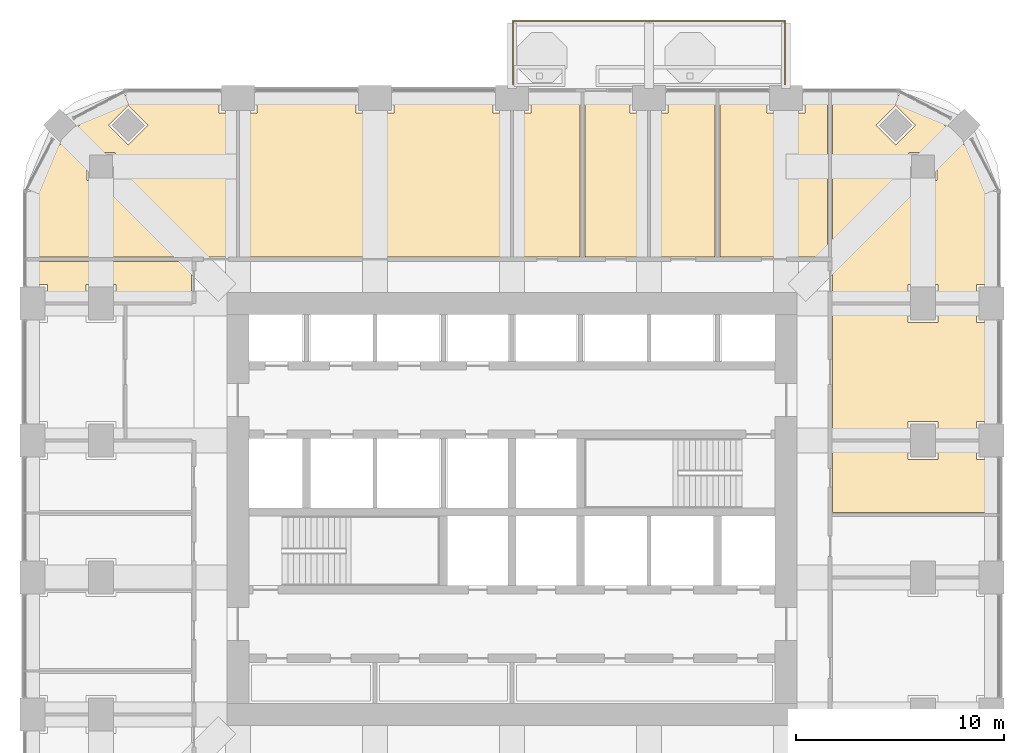
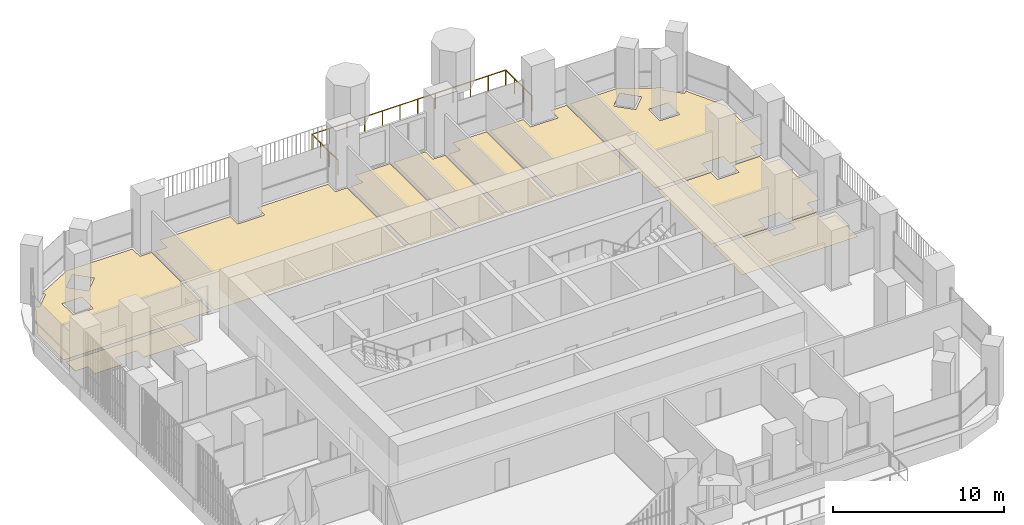
# One storey, part 18 of 19: 10 coverings, 1 railing.
"""IFC4 building model written with IfcOpenShell, lengths in metres."""

from ifc_helpers import new_model, si_unit, direction, frame, origin, place, context, subcontext, project, spatial, polyline, outline, extrude, material, layer, layer_set, type_object, element, save


model = new_model("IFC4")

# Units and contexts
model_context = context("Model", 3, precision=1e-05, world=origin(), true_north=direction((0.0, 1.0)))
body_context = subcontext(model_context, "Body", "Model", "MODEL_VIEW")
ifc_project = project(units=[si_unit("LENGTHUNIT", "METRE"), si_unit("AREAUNIT", "SQUARE_METRE"), si_unit("VOLUMEUNIT", "CUBIC_METRE"), si_unit("PLANEANGLEUNIT", "RADIAN"), si_unit("MASSUNIT", "GRAM", prefix="KILO")], contexts=[model_context])

# Site, building, storey
site_placement = place(None, origin())
site = spatial("IfcSite", under=ifc_project, at=site_placement, CompositionType="ELEMENT")
building_placement = place(site_placement, origin())
building = spatial("IfcBuilding", under=site, at=building_placement, Name="Cobogo Forest Laboratory Tower", CompositionType="ELEMENT")
storey_placement = place(building_placement, frame((0.0, 0.0, 172.5)))
storey = spatial("IfcBuildingStorey", under=building, at=storey_placement, Name="L39", CompositionType="ELEMENT", Elevation=172.5)

# Railing
ifc_material_1 = material(Name="Laminated glass balustrade", Category="glass")
railing_type = type_object("IfcRailingType", Name="BG1 glass balustrade 1100", PredefinedType="GUARDRAIL", material=ifc_material_1)
railing_placement = place(storey_placement, frame((26.449951171875, 43.550048828125, 0.0)))
element("IfcRailing", 1, at=railing_placement, inside=storey, type_object=railing_type, Name="Balcony balustrade BAL-N1 L39", PredefinedType="GUARDRAIL", context=body_context, shape_type="SweptSolid", body=[
    extrude(outline(polyline([(0.022216796875, 0.00927734375), (0.00927734375, 0.022216796875), (-0.00927734375, 0.022216796875), (-0.022216796875, 0.00927734375), (-0.022216796875, -0.00927734375), (-0.00927734375, -0.022216796875), (0.00927734375, -0.022216796875), (0.022216796875, -0.00927734375), (0.022216796875, 0.00927734375)])), frame((0.0, 0.0, 1.077880859375), z_axis=(0.0, 1.0, 0.0), x_axis=(-1.0, 0.0, 0.0)), (0.0, 0.0, 1.0), 3.050048828125),
    extrude(outline(polyline([(0.022216796875, 0.00927734375), (0.00927734375, 0.022216796875), (-0.00927734375, 0.022216796875), (-0.022216796875, 0.00927734375), (-0.022216796875, -0.00927734375), (-0.00927734375, -0.022216796875), (0.00927734375, -0.022216796875), (0.022216796875, -0.00927734375), (0.022216796875, 0.00927734375)])), frame((0.0, 3.050048828125, 1.077880859375), z_axis=(1.0, 0.0, 0.0), x_axis=(0.0, 1.0, 0.0)), (0.0, 0.0, 1.0), 13.10009765625),
    extrude(outline(polyline([(0.022216796875, 0.00927734375), (0.00927734375, 0.022216796875), (-0.00927734375, 0.022216796875), (-0.022216796875, 0.00927734375), (-0.022216796875, -0.00927734375), (-0.00927734375, -0.022216796875), (0.00927734375, -0.022216796875), (0.022216796875, -0.00927734375), (0.022216796875, 0.00927734375)])), frame((13.10009765625, 3.050048828125, 1.077880859375), z_axis=(0.0, -1.0, 0.0), x_axis=(1.0, 0.0, 0.0)), (0.0, 0.0, 1.0), 3.050048828125),
    extrude(outline(polyline([(0.019287109375, 0.008056640625), (0.008056640625, 0.019287109375), (-0.008056640625, 0.019287109375), (-0.019287109375, 0.008056640625), (-0.019287109375, -0.008056640625), (-0.008056640625, -0.019287109375), (0.008056640625, -0.019287109375), (0.019287109375, -0.008056640625), (0.019287109375, 0.008056640625)])), origin(), (0.0, 0.0, 1.0), 1.077880859375),
    extrude(outline(polyline([(0.019287109375, 0.008056640625), (0.008056640625, 0.019287109375), (-0.008056640625, 0.019287109375), (-0.019287109375, 0.008056640625), (-0.019287109375, -0.008056640625), (-0.008056640625, -0.019287109375), (0.008056640625, -0.019287109375), (0.019287109375, -0.008056640625), (0.019287109375, 0.008056640625)])), frame((0.0, 1.0166015625, 0.0)), (0.0, 0.0, 1.0), 1.077880859375),
    extrude(outline(polyline([(0.019287109375, 0.008056640625), (0.008056640625, 0.019287109375), (-0.008056640625, 0.019287109375), (-0.019287109375, 0.008056640625), (-0.019287109375, -0.008056640625), (-0.008056640625, -0.019287109375), (0.008056640625, -0.019287109375), (0.019287109375, -0.008056640625), (0.019287109375, 0.008056640625)])), frame((0.0, 2.033447265625, 0.0)), (0.0, 0.0, 1.0), 1.077880859375),
    extrude(outline(polyline([(0.019287109375, 0.008056640625), (0.008056640625, 0.019287109375), (-0.008056640625, 0.019287109375), (-0.019287109375, 0.008056640625), (-0.019287109375, -0.008056640625), (-0.008056640625, -0.019287109375), (0.008056640625, -0.019287109375), (0.019287109375, -0.008056640625), (0.019287109375, 0.008056640625)])), frame((0.0, 3.050048828125, 0.0)), (0.0, 0.0, 1.0), 1.077880859375),
    extrude(outline(polyline([(0.019287109375, 0.008056640625), (0.008056640625, 0.019287109375), (-0.008056640625, 0.019287109375), (-0.019287109375, 0.008056640625), (-0.019287109375, -0.008056640625), (-0.008056640625, -0.019287109375), (0.008056640625, -0.019287109375), (0.019287109375, -0.008056640625), (0.019287109375, 0.008056640625)])), frame((1.19091796875, 3.050048828125, 0.0)), (0.0, 0.0, 1.0), 1.077880859375),
    extrude(outline(polyline([(0.019287109375, 0.008056640625), (0.008056640625, 0.019287109375), (-0.008056640625, 0.019287109375), (-0.019287109375, 0.008056640625), (-0.019287109375, -0.008056640625), (-0.008056640625, -0.019287109375), (0.008056640625, -0.019287109375), (0.019287109375, -0.008056640625), (0.019287109375, 0.008056640625)])), frame((2.3818359375, 3.050048828125, 0.0)), (0.0, 0.0, 1.0), 1.077880859375),
    extrude(outline(polyline([(0.019287109375, 0.008056640625), (0.008056640625, 0.019287109375), (-0.008056640625, 0.019287109375), (-0.019287109375, 0.008056640625), (-0.019287109375, -0.008056640625), (-0.008056640625, -0.019287109375), (0.008056640625, -0.019287109375), (0.019287109375, -0.008056640625), (0.019287109375, 0.008056640625)])), frame((3.57275390625, 3.050048828125, 0.0)), (0.0, 0.0, 1.0), 1.077880859375),
    extrude(outline(polyline([(0.019287109375, 0.008056640625), (0.008056640625, 0.019287109375), (-0.008056640625, 0.019287109375), (-0.019287109375, 0.008056640625), (-0.019287109375, -0.008056640625), (-0.008056640625, -0.019287109375), (0.008056640625, -0.019287109375), (0.019287109375, -0.008056640625), (0.019287109375, 0.008056640625)])), frame((4.763671875, 3.050048828125, 0.0)), (0.0, 0.0, 1.0), 1.077880859375),
    extrude(outline(polyline([(0.019287109375, 0.008056640625), (0.008056640625, 0.019287109375), (-0.008056640625, 0.019287109375), (-0.019287109375, 0.008056640625), (-0.019287109375, -0.008056640625), (-0.008056640625, -0.019287109375), (0.008056640625, -0.019287109375), (0.019287109375, -0.008056640625), (0.019287109375, 0.008056640625)])), frame((5.95458984375, 3.050048828125, 0.0)), (0.0, 0.0, 1.0), 1.077880859375),
    extrude(outline(polyline([(0.019287109375, 0.008056640625), (0.008056640625, 0.019287109375), (-0.008056640625, 0.019287109375), (-0.019287109375, 0.008056640625), (-0.019287109375, -0.008056640625), (-0.008056640625, -0.019287109375), (0.008056640625, -0.019287109375), (0.019287109375, -0.008056640625), (0.019287109375, 0.008056640625)])), frame((7.1455078125, 3.050048828125, 0.0)), (0.0, 0.0, 1.0), 1.077880859375),
    extrude(outline(polyline([(0.019287109375, 0.008056640625), (0.008056640625, 0.019287109375), (-0.008056640625, 0.019287109375), (-0.019287109375, 0.008056640625), (-0.019287109375, -0.008056640625), (-0.008056640625, -0.019287109375), (0.008056640625, -0.019287109375), (0.019287109375, -0.008056640625), (0.019287109375, 0.008056640625)])), frame((8.33642578125, 3.050048828125, 0.0)), (0.0, 0.0, 1.0), 1.077880859375),
    extrude(outline(polyline([(0.019287109375, 0.008056640625), (0.008056640625, 0.019287109375), (-0.008056640625, 0.019287109375), (-0.019287109375, 0.008056640625), (-0.019287109375, -0.008056640625), (-0.008056640625, -0.019287109375), (0.008056640625, -0.019287109375), (0.019287109375, -0.008056640625), (0.019287109375, 0.008056640625)])), frame((9.52734375, 3.050048828125, 0.0)), (0.0, 0.0, 1.0), 1.077880859375),
    extrude(outline(polyline([(0.019287109375, 0.008056640625), (0.008056640625, 0.019287109375), (-0.008056640625, 0.019287109375), (-0.019287109375, 0.008056640625), (-0.019287109375, -0.008056640625), (-0.008056640625, -0.019287109375), (0.008056640625, -0.019287109375), (0.019287109375, -0.008056640625), (0.019287109375, 0.008056640625)])), frame((10.71826171875, 3.050048828125, 0.0)), (0.0, 0.0, 1.0), 1.077880859375),
    extrude(outline(polyline([(0.019287109375, 0.008056640625), (0.008056640625, 0.019287109375), (-0.008056640625, 0.019287109375), (-0.019287109375, 0.008056640625), (-0.019287109375, -0.008056640625), (-0.008056640625, -0.019287109375), (0.008056640625, -0.019287109375), (0.019287109375, -0.008056640625), (0.019287109375, 0.008056640625)])), frame((11.9091796875, 3.050048828125, 0.0)), (0.0, 0.0, 1.0), 1.077880859375),
    extrude(outline(polyline([(0.019287109375, 0.008056640625), (0.008056640625, 0.019287109375), (-0.008056640625, 0.019287109375), (-0.019287109375, 0.008056640625), (-0.019287109375, -0.008056640625), (-0.008056640625, -0.019287109375), (0.008056640625, -0.019287109375), (0.019287109375, -0.008056640625), (0.019287109375, 0.008056640625)])), frame((13.10009765625, 3.050048828125, 0.0)), (0.0, 0.0, 1.0), 1.077880859375),
    extrude(outline(polyline([(0.019287109375, 0.008056640625), (0.008056640625, 0.019287109375), (-0.008056640625, 0.019287109375), (-0.019287109375, 0.008056640625), (-0.019287109375, -0.008056640625), (-0.008056640625, -0.019287109375), (0.008056640625, -0.019287109375), (0.019287109375, -0.008056640625), (0.019287109375, 0.008056640625)])), frame((13.10009765625, 2.033447265625, 0.0)), (0.0, 0.0, 1.0), 1.077880859375),
    extrude(outline(polyline([(0.019287109375, 0.008056640625), (0.008056640625, 0.019287109375), (-0.008056640625, 0.019287109375), (-0.019287109375, 0.008056640625), (-0.019287109375, -0.008056640625), (-0.008056640625, -0.019287109375), (0.008056640625, -0.019287109375), (0.019287109375, -0.008056640625), (0.019287109375, 0.008056640625)])), frame((13.10009765625, 1.0166015625, 0.0)), (0.0, 0.0, 1.0), 1.077880859375),
    extrude(outline(polyline([(0.019287109375, 0.008056640625), (0.008056640625, 0.019287109375), (-0.008056640625, 0.019287109375), (-0.019287109375, 0.008056640625), (-0.019287109375, -0.008056640625), (-0.008056640625, -0.019287109375), (0.008056640625, -0.019287109375), (0.019287109375, -0.008056640625), (0.019287109375, 0.008056640625)])), frame((13.10009765625, 0.0, 0.0)), (0.0, 0.0, 1.0), 1.077880859375),
])

# Coverings
ifc_material_2 = material(Name="Carpet tile on raised access floor", Category="flooring")
ifc_layer_1 = layer(ifc_material_2, 0.008056640625)
ifc_layer_set_1 = layer_set([ifc_layer_1], Name="CT1 carpet tile floor 8")
covering_type_1 = type_object("IfcCoveringType", Name="CT1 carpet tile floor 8", PredefinedType="FLOORING", material=ifc_layer_set_1)
covering_1_placement = place(storey_placement, origin())
element("IfcCovering", 2, at=covering_1_placement, inside=storey, type_object=covering_type_1, Name="Carpet floor L39-10", PredefinedType="FLOORING", context=body_context, shape_type="SweptSolid", body=[
    extrude(outline(polyline([(41.844970703125, 43.050048828125), (44.95068359375, 43.050048828125), (47.412109375, 41.759765625), (47.234375, 41.58203125), (48.181884765625, 40.634521484375), (48.359619140625, 40.812255859375), (49.64990234375, 38.350830078125), (49.64990234375, 33.919921875), (48.780029296875, 33.919921875), (48.780029296875, 33.1201171875), (46.919921875, 33.1201171875), (46.919921875, 33.919921875), (45.47998046875, 33.919921875), (45.47998046875, 33.1201171875), (41.844970703125, 33.1201171875), (41.844970703125, 43.050048828125)]), holes=[polyline([(45.530029296875, 40.27001953125), (45.530029296875, 38.929931640625), (46.8701171875, 38.929931640625), (46.8701171875, 40.27001953125), (45.530029296875, 40.27001953125)]), polyline([(44.882080078125, 40.634521484375), (45.82958984375, 41.58203125), (44.882080078125, 42.529541015625), (43.9345703125, 41.58203125), (44.882080078125, 40.634521484375)])]), origin(), (0.0, 0.0, 1.0), 0.008056640625),
])
covering_2_placement = place(storey_placement, origin())
element("IfcCovering", 3, at=covering_2_placement, inside=storey, type_object=covering_type_1, Name="Carpet floor L39-13", PredefinedType="FLOORING", context=body_context, shape_type="SweptSolid", body=[
    extrude(outline(polyline([(26.52001953125, 35.2451171875), (26.52001953125, 42.179931640625), (27.320068359375, 42.179931640625), (27.320068359375, 43.050048828125), (29.679931640625, 43.050048828125), (29.679931640625, 35.2451171875), (26.52001953125, 35.2451171875)])), origin(), (0.0, 0.0, 1.0), 0.008056640625),
])
covering_3_placement = place(storey_placement, origin())
element("IfcCovering", 4, at=covering_3_placement, inside=storey, type_object=covering_type_1, Name="Carpet floor L39-23", PredefinedType="FLOORING", context=body_context, shape_type="SweptSolid", body=[
    extrude(outline(polyline([(10.955078125, 33.1201171875), (7.320068359375, 33.1201171875), (7.320068359375, 33.919921875), (5.8798828125, 33.919921875), (5.8798828125, 33.1201171875), (4.02001953125, 33.1201171875), (4.02001953125, 33.919921875), (3.14990234375, 33.919921875), (3.14990234375, 35.0048828125), (10.955078125, 35.0048828125), (10.955078125, 33.1201171875)])), origin(), (0.0, 0.0, 1.0), 0.008056640625),
])
ifc_material_3 = material(Name="Static-dissipative vinyl flooring", Category="flooring")
ifc_layer_2 = layer(ifc_material_3, 0.0029296875)
ifc_layer_set_2 = layer_set([ifc_layer_2], Name="SD1 static-dissipative vinyl floor 3")
covering_type_2 = type_object("IfcCoveringType", Name="SD1 static-dissipative vinyl floor 3", PredefinedType="FLOORING", material=ifc_layer_set_2)
covering_4_placement = place(storey_placement, origin())
element("IfcCovering", 5, at=covering_4_placement, inside=storey, type_object=covering_type_2, Name="Static-dissipative floor L39-08", PredefinedType="FLOORING", context=body_context, shape_type="SweptSolid", body=[
    extrude(outline(polyline([(41.844970703125, 26.280029296875), (45.47998046875, 26.280029296875), (45.47998046875, 25.47998046875), (46.919921875, 25.47998046875), (46.919921875, 26.280029296875), (48.780029296875, 26.280029296875), (48.780029296875, 25.47998046875), (49.64990234375, 25.47998046875), (49.64990234375, 22.919921875), (41.844970703125, 22.919921875), (41.844970703125, 26.280029296875)])), origin(), (0.0, 0.0, 1.0), 0.0029296875),
])
covering_5_placement = place(storey_placement, origin())
element("IfcCovering", 6, at=covering_5_placement, inside=storey, type_object=covering_type_2, Name="Static-dissipative floor L39-09", PredefinedType="FLOORING", context=body_context, shape_type="SweptSolid", body=[
    extrude(outline(polyline([(41.844970703125, 32.8798828125), (45.47998046875, 32.8798828125), (45.47998046875, 32.080078125), (46.919921875, 32.080078125), (46.919921875, 32.8798828125), (48.780029296875, 32.8798828125), (48.780029296875, 32.080078125), (49.64990234375, 32.080078125), (49.64990234375, 27.320068359375), (48.780029296875, 27.320068359375), (48.780029296875, 26.52001953125), (46.919921875, 26.52001953125), (46.919921875, 27.320068359375), (45.47998046875, 27.320068359375), (45.47998046875, 26.52001953125), (41.844970703125, 26.52001953125), (41.844970703125, 32.8798828125)])), origin(), (0.0, 0.0, 1.0), 0.0029296875),
])
covering_6_placement = place(storey_placement, origin())
element("IfcCovering", 7, at=covering_6_placement, inside=storey, type_object=covering_type_2, Name="Static-dissipative floor L39-11", PredefinedType="FLOORING", context=body_context, shape_type="SweptSolid", body=[
    extrude(outline(polyline([(3.14990234375, 35.2451171875), (3.14990234375, 38.350830078125), (4.440185546875, 40.812255859375), (4.617919921875, 40.634521484375), (5.5654296875, 41.58203125), (5.387939453125, 41.759765625), (7.84912109375, 43.050048828125), (12.280029296875, 43.050048828125), (12.280029296875, 42.179931640625), (13.080078125, 42.179931640625), (13.080078125, 35.2451171875), (3.14990234375, 35.2451171875)]), holes=[polyline([(7.91796875, 40.634521484375), (8.865478515625, 41.58203125), (7.91796875, 42.529541015625), (6.970458984375, 41.58203125), (7.91796875, 40.634521484375)]), polyline([(5.929931640625, 38.929931640625), (7.27001953125, 38.929931640625), (7.27001953125, 40.27001953125), (5.929931640625, 40.27001953125), (5.929931640625, 38.929931640625)])]), origin(), (0.0, 0.0, 1.0), 0.0029296875),
])
covering_7_placement = place(storey_placement, origin())
element("IfcCovering", 8, at=covering_7_placement, inside=storey, type_object=covering_type_2, Name="Static-dissipative floor L39-12", PredefinedType="FLOORING", context=body_context, shape_type="SweptSolid", body=[
    extrude(outline(polyline([(13.320068359375, 35.2451171875), (13.320068359375, 42.179931640625), (14.1201171875, 42.179931640625), (14.1201171875, 43.050048828125), (18.8798828125, 43.050048828125), (18.8798828125, 42.179931640625), (20.719970703125, 42.179931640625), (20.719970703125, 43.050048828125), (25.47998046875, 43.050048828125), (25.47998046875, 42.179931640625), (26.280029296875, 42.179931640625), (26.280029296875, 35.2451171875), (13.320068359375, 35.2451171875)])), origin(), (0.0, 0.0, 1.0), 0.0029296875),
])
covering_8_placement = place(storey_placement, origin())
element("IfcCovering", 9, at=covering_8_placement, inside=storey, type_object=covering_type_2, Name="Static-dissipative floor L39-15", PredefinedType="FLOORING", context=body_context, shape_type="SweptSolid", body=[
    extrude(outline(polyline([(33.1201171875, 35.2451171875), (33.1201171875, 42.179931640625), (33.919921875, 42.179931640625), (33.919921875, 43.050048828125), (36.179931640625, 43.050048828125), (36.179931640625, 35.2451171875), (33.1201171875, 35.2451171875)])), origin(), (0.0, 0.0, 1.0), 0.0029296875),
])
covering_9_placement = place(storey_placement, origin())
element("IfcCovering", 10, at=covering_9_placement, inside=storey, type_object=covering_type_2, Name="Static-dissipative floor L39-16", PredefinedType="FLOORING", context=body_context, shape_type="SweptSolid", body=[
    extrude(outline(polyline([(36.419921875, 35.2451171875), (36.419921875, 43.050048828125), (38.679931640625, 43.050048828125), (38.679931640625, 42.179931640625), (40.52001953125, 42.179931640625), (40.52001953125, 43.050048828125), (41.60498046875, 43.050048828125), (41.60498046875, 35.2451171875), (36.419921875, 35.2451171875)])), origin(), (0.0, 0.0, 1.0), 0.0029296875),
])
ifc_material_4 = material(Name="Ceramic floor tile", Category="flooring")
ifc_layer_3 = layer(ifc_material_4, 0.010009765625)
ifc_layer_set_3 = layer_set([ifc_layer_3], Name="TF1 ceramic tile floor 10")
covering_type_3 = type_object("IfcCoveringType", Name="TF1 ceramic tile floor 10", PredefinedType="FLOORING", material=ifc_layer_set_3)
covering_10_placement = place(storey_placement, origin())
element("IfcCovering", 11, at=covering_10_placement, inside=storey, type_object=covering_type_3, Name="Tile floor L39-14", PredefinedType="FLOORING", context=body_context, shape_type="SweptSolid", body=[
    extrude(outline(polyline([(29.919921875, 35.2451171875), (29.919921875, 43.050048828125), (32.080078125, 43.050048828125), (32.080078125, 42.179931640625), (32.8798828125, 42.179931640625), (32.8798828125, 35.2451171875), (29.919921875, 35.2451171875)])), origin(), (0.0, 0.0, 1.0), 0.010009765625),
])

save(model, "model.ifc")
